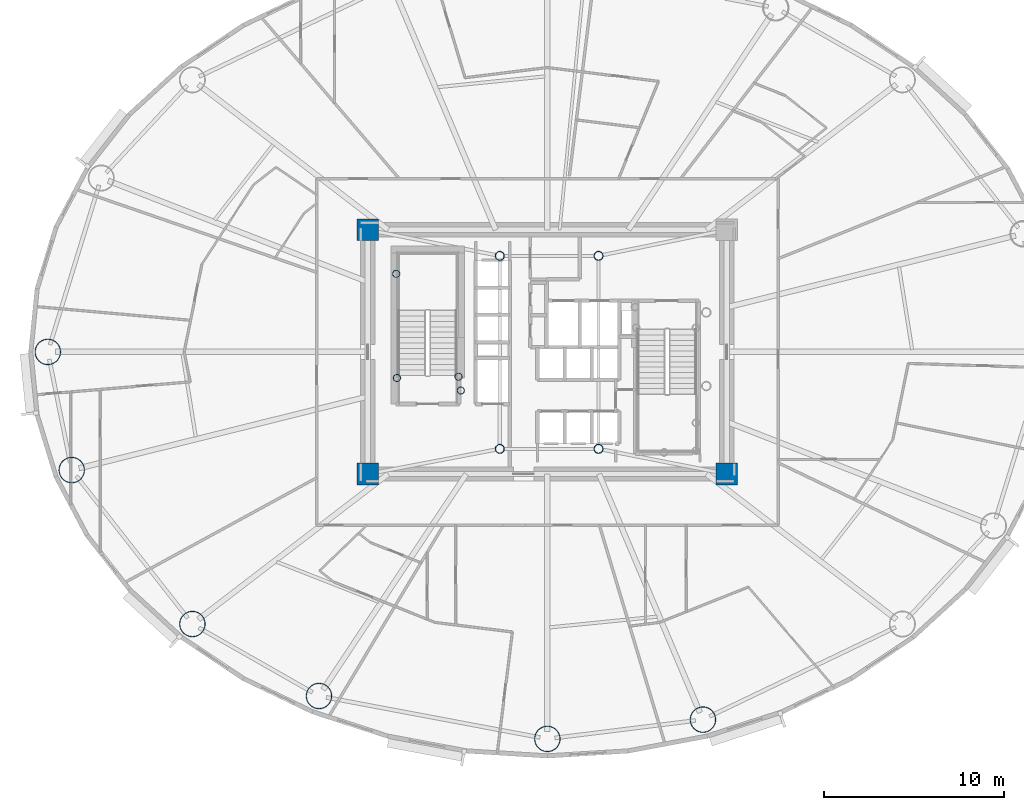
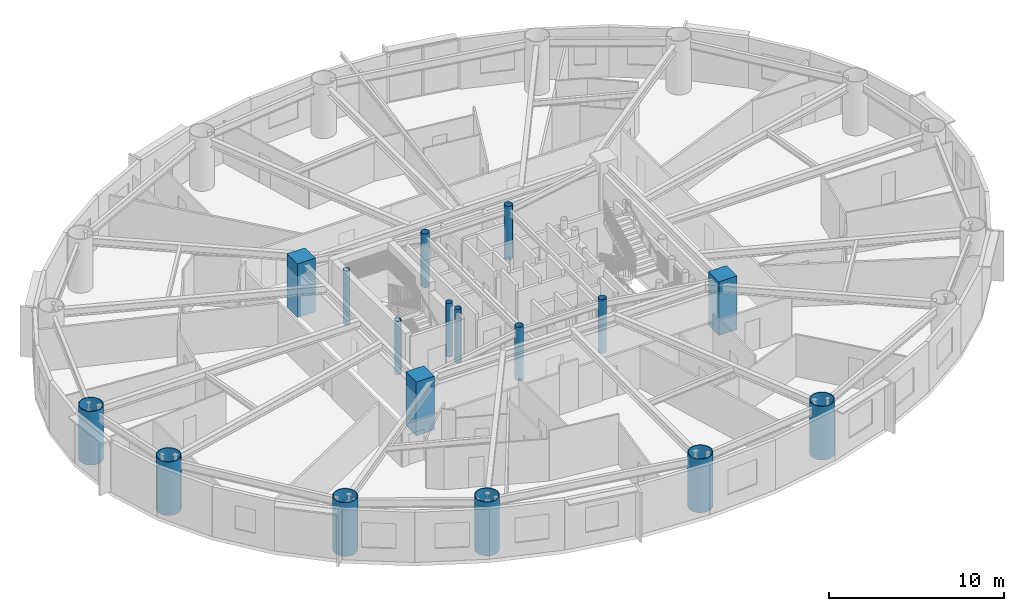
# One storey, part 1 of 18: 17 columns.
"""IFC4 building model written with IfcOpenShell, lengths in metres."""

from ifc_helpers import new_model, si_unit, direction, frame, origin, origin_2d, place, context, subcontext, project, spatial, rectangle, hollow_circle, extrude, material, material_profile, profile_set, type_object, element, save


model = new_model("IFC4")

# Units and contexts
model_context = context("Model", 3, precision=1e-05, world=origin(), true_north=direction((0.0, 1.0)))
body_context = subcontext(model_context, "Body", "Model", "MODEL_VIEW")
ifc_project = project(units=[si_unit("LENGTHUNIT", "METRE"), si_unit("AREAUNIT", "SQUARE_METRE"), si_unit("VOLUMEUNIT", "CUBIC_METRE"), si_unit("PLANEANGLEUNIT", "RADIAN"), si_unit("MASSUNIT", "GRAM", prefix="KILO")], contexts=[model_context])

# Site, building, storey
site_placement = place(None, origin())
site = spatial("IfcSite", under=ifc_project, at=site_placement, CompositionType="ELEMENT")
building_placement = place(site_placement, origin())
building = spatial("IfcBuilding", under=site, at=building_placement, Name="Linh Dai School and Residence Tower", CompositionType="ELEMENT")
storey_placement = place(building_placement, frame((0.0, 0.0, 104.699951171875)))
storey = spatial("IfcBuildingStorey", under=building, at=storey_placement, Name="L24", CompositionType="ELEMENT", Elevation=104.699951171875)

# Columns
ifc_material_1 = material(Name="Concrete B60 (C50/60)", Category="concrete")
ifc_material_profile_1 = material_profile(ifc_material_1, rectangle(XDim=1.199951171875, YDim=1.199951171875, at=origin_2d()), Name="RC 1200x1200")
ifc_profile_set_1 = profile_set([ifc_material_profile_1], Name="Concrete B60 (C50/60)")
column_type_1 = type_object("IfcColumnType", Name="COL-CC2", PredefinedType="COLUMN", material=ifc_profile_set_1)
for number, where, z_axis, x_axis, name in (
    (1, (26.0, 20.199951171875, 0.0), (0.0, 0.0, 1.0), (1.0, 0.0, 0.0), "L24 Core Corner Pier CC1"),
    (2, (46.0, 20.199951171875, 0.0), (0.0, 0.0, 1.0), (1.0, 0.0, 0.0), "L24 Core Corner Pier CC2"),
    (3, (26.0, 33.800048828125, 0.0), (0.0, 0.0, 1.0), (1.0, 0.0, 0.0), "L24 Core Corner Pier CC4"),
):
    element("IfcColumn", number, at=place(storey_placement, frame(where, z_axis=z_axis, x_axis=x_axis)), inside=storey, type_object=column_type_1, Name=name, PredefinedType="COLUMN", context=body_context, shape_type="SweptSolid", body=[
        extrude(rectangle(XDim=1.199951171875, YDim=1.199951171875, at=origin_2d()), origin(), (0.0, 0.0, 1.0), 3.75),
    ])
ifc_material_2 = material(Name="Structural Steel S355JR", Category="steel")
ifc_material_profile_2 = material_profile(ifc_material_2, hollow_circle(Radius=0.203125, WallThickness=0.01611328125, at=origin_2d()), Name="CHS 406.4x16")
ifc_profile_set_2 = profile_set([ifc_material_profile_2], Name="Structural Steel S355JR")
column_type_2 = type_object("IfcColumnType", Name="COL-EC", PredefinedType="COLUMN", material=ifc_profile_set_2)
for number, where, z_axis, x_axis, name in (
    (4, (27.580078125, 31.35009765625, 0.0), (0.0, 0.0, 1.0), (1.0, 0.0, 0.0), "L24 Stair Shaft Landing Support Pier ST1NW"),
    (5, (31.050048828125, 25.6201171875, 0.0), (0.0, 0.0, 1.0), (1.0, 0.0, 0.0), "L24 Stair Shaft Landing Support Pier ST1SE"),
    (6, (31.179931640625, 24.85009765625, 0.0), (0.0, 0.0, 1.0), (1.0, 0.0, 0.0), "L24 Stair Shaft Landing Support Pier ST1SM"),
    (7, (27.6201171875, 25.550048828125, 0.0), (0.0, 0.0, 1.0), (1.0, 0.0, 0.0), "L24 Stair Shaft Landing Support Pier ST1SW"),
):
    element("IfcColumn", number, at=place(storey_placement, frame(where, z_axis=z_axis, x_axis=x_axis)), inside=storey, type_object=column_type_2, Name=name, PredefinedType="COLUMN", context=body_context, shape_type="SweptSolid", body=[
        extrude(hollow_circle(Radius=0.203125, WallThickness=0.01611328125, at=origin_2d()), origin(), (0.0, 0.0, 1.0), 3.75),
    ])
ifc_material_profile_3 = material_profile(ifc_material_2, hollow_circle(Radius=0.72509765625, WallThickness=0.0419921875, at=origin_2d()), Name="CHS 1450x42")
ifc_profile_set_3 = profile_set([ifc_material_profile_3], Name="Structural Steel S355JR")
column_type_3 = type_object("IfcColumnType", Name="COL-MC3", PredefinedType="COLUMN", material=ifc_profile_set_3)
for number, where, z_axis, x_axis, name in (
    (8, (8.175048828125, 27.0, 0.0), (0.0, 0.0, 1.0), (1.0, 0.0, 0.0), "L24 Perimeter CFT Mega-Column MC09"),
    (9, (9.50732421875, 20.4189453125, 0.0), (0.0, 0.0, 1.0), (1.0, 0.0, 0.0), "L24 Perimeter CFT Mega-Column MC10"),
    (10, (16.227294921875, 11.844482421875, 0.0), (0.0, 0.0, 1.0), (1.0, 0.0, 0.0), "L24 Perimeter CFT Mega-Column MC11"),
    (11, (23.278076171875, 7.8349609375, 0.0), (0.0, 0.0, 1.0), (1.0, 0.0, 0.0), "L24 Perimeter CFT Mega-Column MC12"),
    (12, (36.0, 5.445068359375, 0.0), (0.0, 0.0, 1.0), (1.0, 0.0, 0.0), "L24 Perimeter CFT Mega-Column MC13"),
    (13, (44.66552734375, 6.519287109375, 0.0), (0.0, 0.0, 1.0), (1.0, 0.0, 0.0), "L24 Perimeter CFT Mega-Column MC14"),
):
    element("IfcColumn", number, at=place(storey_placement, frame(where, z_axis=z_axis, x_axis=x_axis)), inside=storey, type_object=column_type_3, Name=name, PredefinedType="COLUMN", context=body_context, shape_type="SweptSolid", body=[
        extrude(hollow_circle(Radius=0.72509765625, WallThickness=0.0419921875, at=origin_2d()), origin(), (0.0, 0.0, 1.0), 3.75),
    ])
ifc_material_profile_4 = material_profile(ifc_material_2, hollow_circle(Radius=0.25390625, WallThickness=0.02001953125, at=origin_2d()), Name="CHS 508x20")
ifc_profile_set_4 = profile_set([ifc_material_profile_4], Name="Structural Steel S355JR")
column_type_4 = type_object("IfcColumnType", Name="COL-MCP", PredefinedType="COLUMN", material=ifc_profile_set_4)
for number, where, z_axis, x_axis, name in (
    (14, (33.35009765625, 21.60009765625, 0.0), (0.0, 0.0, 1.0), (1.0, 0.0, 0.0), "L24 Core Mast Support Pier MCP1"),
    (15, (38.85009765625, 21.60009765625, 0.0), (0.0, 0.0, 1.0), (1.0, 0.0, 0.0), "L24 Core Mast Support Pier MCP2"),
    (16, (38.85009765625, 32.35009765625, 0.0), (0.0, 0.0, 1.0), (1.0, 0.0, 0.0), "L24 Core Mast Support Pier MCP3"),
    (17, (33.35009765625, 32.35009765625, 0.0), (0.0, 0.0, 1.0), (1.0, 0.0, 0.0), "L24 Core Mast Support Pier MCP4"),
):
    element("IfcColumn", number, at=place(storey_placement, frame(where, z_axis=z_axis, x_axis=x_axis)), inside=storey, type_object=column_type_4, Name=name, PredefinedType="COLUMN", context=body_context, shape_type="SweptSolid", body=[
        extrude(hollow_circle(Radius=0.25390625, WallThickness=0.02001953125, at=origin_2d()), origin(), (0.0, 0.0, 1.0), 3.75),
    ])

save(model, "model.ifc")
